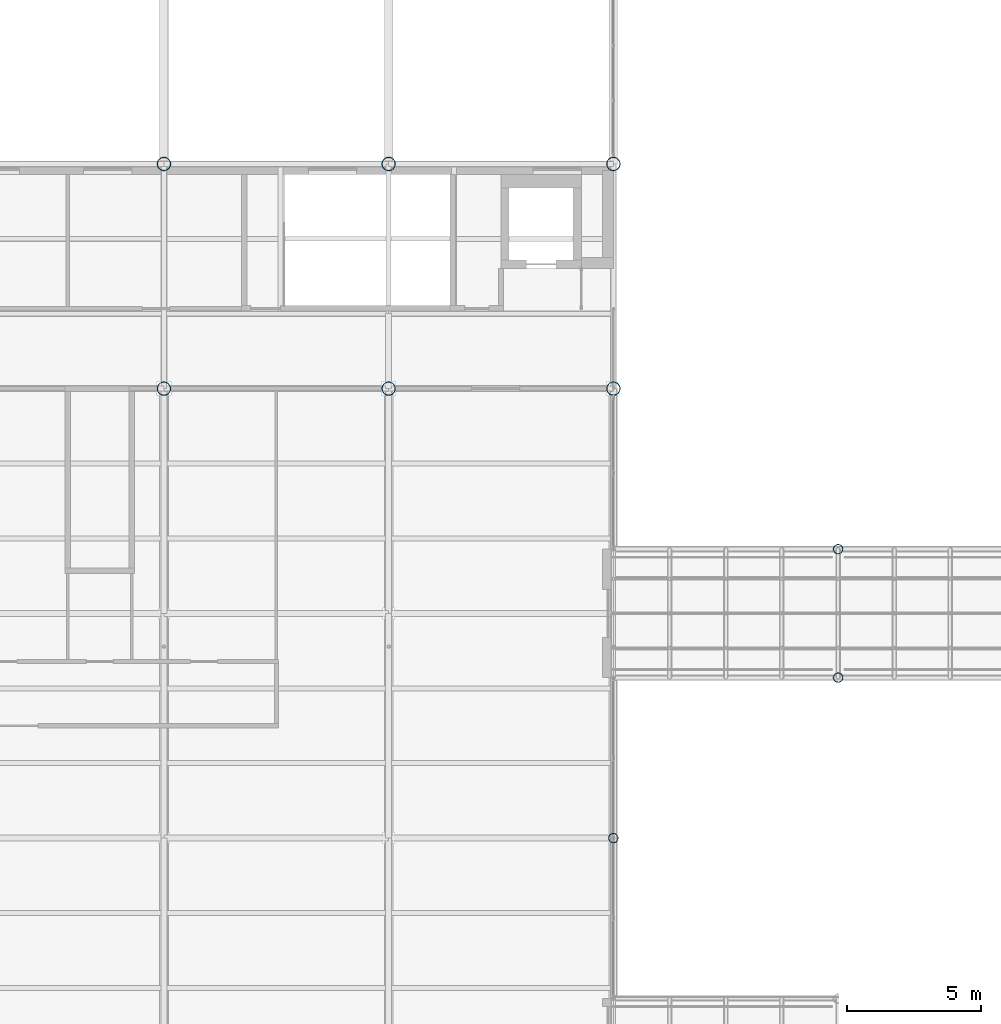
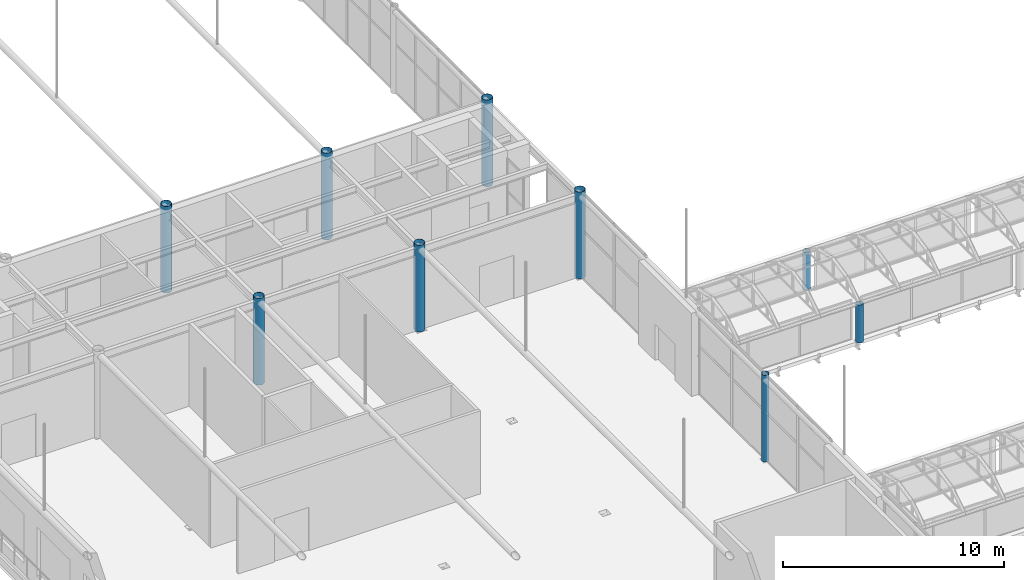
# One storey, part 8 of 167: 9 columns.
"""IFC4 building model written with IfcOpenShell, lengths in metres."""

from ifc_helpers import new_model, si_unit, direction, frame, origin, origin_2d, place, context, subcontext, project, spatial, hollow_circle, extrude, material, material_profile, profile_set, type_object, element, save


model = new_model("IFC4")

# Units and contexts
model_context = context("Model", 3, precision=1e-05, world=origin(), true_north=direction((0.0, 1.0)))
body_context = subcontext(model_context, "Body", "Model", "MODEL_VIEW")
ifc_project = project(units=[si_unit("LENGTHUNIT", "METRE"), si_unit("AREAUNIT", "SQUARE_METRE"), si_unit("VOLUMEUNIT", "CUBIC_METRE"), si_unit("PLANEANGLEUNIT", "RADIAN"), si_unit("MASSUNIT", "GRAM", prefix="KILO")], contexts=[model_context])

# Site, building, storey
site_placement = place(None, origin())
site = spatial("IfcSite", under=ifc_project, at=site_placement, CompositionType="ELEMENT")
building_placement = place(site_placement, origin())
building = spatial("IfcBuilding", under=site, at=building_placement, Name="Catenary Quay Ferry Terminal", CompositionType="ELEMENT")
storey_placement = place(building_placement, frame((0.0, 0.0, 6.0)))
storey = spatial("IfcBuildingStorey", under=building, at=storey_placement, Name="L01", CompositionType="ELEMENT", Elevation=6.0)

# Columns
ifc_material_1 = material(Name="Steel S355", Category="steel")
ifc_material_profile_1 = material_profile(ifc_material_1, hollow_circle(Radius=0.25390625, WallThickness=0.01611328125, at=origin_2d()), Name="CHS 508x16")
ifc_profile_set_1 = profile_set([ifc_material_profile_1], Name="Steel S355")
column_type_1 = type_object("IfcColumnType", Name="C4 CHS 508x16", PredefinedType="COLUMN", material=ifc_profile_set_1)
for number, where, z_axis, x_axis, name in (
    (1, (75.60009765625, 100.800048828125, 0.0), (0.0, 0.0, 1.0), (1.0, 0.0, 0.0), "Column C-J13 L01"),
    (2, (84.0, 100.800048828125, 0.0), (0.0, 0.0, 1.0), (1.0, 0.0, 0.0), "Column C-K13 L01"),
    (3, (92.39990234375, 100.800048828125, 0.0), (0.0, 0.0, 1.0), (1.0, 0.0, 0.0), "Column C-L13 L01"),
    (4, (75.60009765625, 109.199951171875, 0.0), (0.0, 0.0, 1.0), (1.0, 0.0, 0.0), "Column C-J14 L01"),
    (5, (84.0, 109.199951171875, 0.0), (0.0, 0.0, 1.0), (1.0, 0.0, 0.0), "Column C-K14 L01"),
    (6, (92.39990234375, 109.199951171875, 0.0), (0.0, 0.0, 1.0), (1.0, 0.0, 0.0), "Column C-L14 L01"),
):
    element("IfcColumn", number, at=place(storey_placement, frame(where, z_axis=z_axis, x_axis=x_axis)), inside=storey, type_object=column_type_1, Name=name, PredefinedType="COLUMN", context=body_context, shape_type="SweptSolid", body=[
        extrude(hollow_circle(Radius=0.25390625, WallThickness=0.01611328125, at=origin_2d()), origin(), (0.0, 0.0, 1.0), 4.800048828125),
    ])
ifc_material_2 = material(Name="Steel S355", Category="steel")
ifc_material_profile_2 = material_profile(ifc_material_2, hollow_circle(Radius=0.177734375, WallThickness=0.012451171875, at=origin_2d()), Name="CHS 355.6x12.5")
ifc_profile_set_2 = profile_set([ifc_material_profile_2], Name="Steel S355")
column_type_2 = type_object("IfcColumnType", Name="C5 CHS 355.6x12.5", PredefinedType="COLUMN", material=ifc_profile_set_2)
column_placement = place(storey_placement, frame((92.39990234375, 84.0, 0.0), z_axis=(0.0, 0.0, 1.0), x_axis=(1.0, 0.0, 0.0)))
element("IfcColumn", 7, at=column_placement, inside=storey, type_object=column_type_2, Name="Column C-L11 L01", PredefinedType="COLUMN", context=body_context, shape_type="SweptSolid", body=[
    extrude(hollow_circle(Radius=0.177734375, WallThickness=0.012451171875, at=origin_2d()), origin(), (0.0, 0.0, 1.0), 4.800048828125),
])
for number, where, z_axis, x_axis, name in (
    (8, (100.800048828125, 90.0, 0.0), (0.0, 0.0, 1.0), (1.0, 0.0, 0.0), "Column C-BB2SM L01"),
    (9, (100.800048828125, 94.800048828125, 0.0), (0.0, 0.0, 1.0), (1.0, 0.0, 0.0), "Column C-BB2NM L01"),
):
    element("IfcColumn", number, at=place(storey_placement, frame(where, z_axis=z_axis, x_axis=x_axis)), inside=storey, type_object=column_type_2, Name=name, PredefinedType="COLUMN", context=body_context, shape_type="SweptSolid", body=[
        extrude(hollow_circle(Radius=0.177734375, WallThickness=0.012451171875, at=origin_2d()), origin(), (0.0, 0.0, 1.0), 2.10009765625),
    ])

save(model, "model.ifc")
